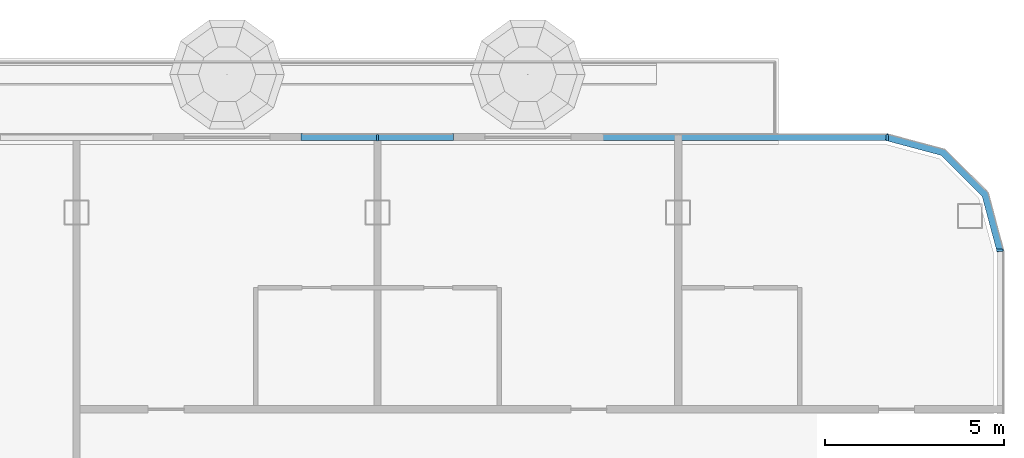
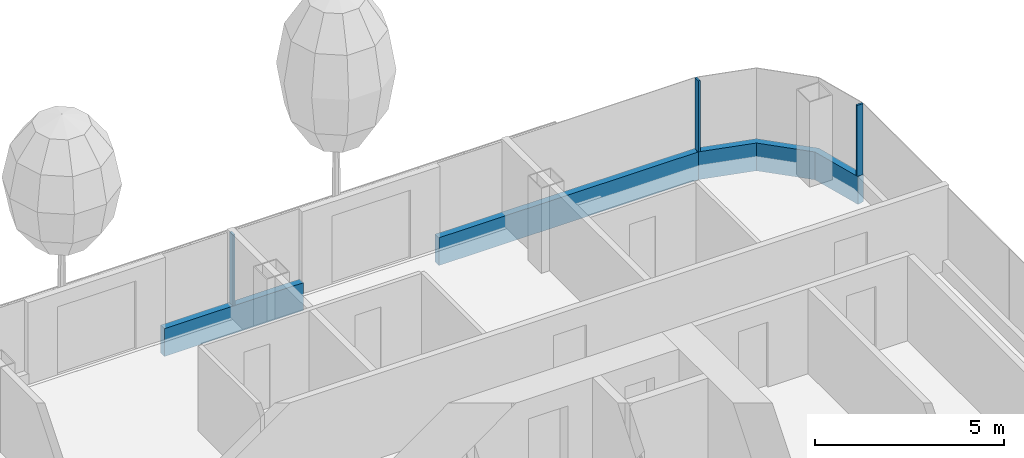
# One storey, part 8 of 29: 6 members, 3 elements without a shape of their own.
"""IFC4 building model written with IfcOpenShell, lengths in metres."""

from ifc_helpers import new_model, si_unit, direction, frame, origin, origin_2d, place, context, subcontext, project, spatial, polyline, rectangle, outline, extrude, material, layer, layer_set, material_profile, profile_set, type_object, element, aggregate, save


model = new_model("IFC4")

# Units and contexts
model_context = context("Model", 3, precision=1e-05, world=origin(), true_north=direction((0.0, 1.0)))
body_context = subcontext(model_context, "Body", "Model", "MODEL_VIEW")
ifc_project = project(units=[si_unit("LENGTHUNIT", "METRE"), si_unit("AREAUNIT", "SQUARE_METRE"), si_unit("VOLUMEUNIT", "CUBIC_METRE"), si_unit("PLANEANGLEUNIT", "RADIAN"), si_unit("MASSUNIT", "GRAM", prefix="KILO")], contexts=[model_context])

# Site, building, storey
site_placement = place(None, origin())
site = spatial("IfcSite", under=ifc_project, at=site_placement, CompositionType="ELEMENT")
building_placement = place(site_placement, origin())
building = spatial("IfcBuilding", under=site, at=building_placement, Name="Hakoniwa Tower and Hamabe Station Hall", CompositionType="ELEMENT")
storey_placement = place(building_placement, frame((0.0, 0.0, 163.0)))
storey = spatial("IfcBuildingStorey", under=building, at=storey_placement, Name="L46", CompositionType="ELEMENT", Elevation=163.0)

# Curtain wall, member
ifc_material_1 = material(Name="Dark low-e laminated glass", Category="glass")
ifc_layer = layer(ifc_material_1, 0.199951171875)
ifc_layer_set = layer_set([ifc_layer], Name="CW-1 UNITISED GUEST")
curtain_wall_type = type_object("IfcCurtainWallType", Name="CW-1 UNITISED GUEST", PredefinedType="NOTDEFINED", material=ifc_layer_set)
curtain_wall_1_placement = place(storey_placement, origin())
curtain_wall_1 = element("IfcCurtainWall", 1, at=curtain_wall_1_placement, inside=storey, type_object=curtain_wall_type, Name="CW-1 curtain wall", PredefinedType="NOTDEFINED")
ifc_material_2 = material(Name="Aluminium 6063-T5 black anodised", Category="aluminium")
ifc_material_profile_1 = material_profile(ifc_material_2, rectangle(XDim=0.199951171875, YDim=0.89990234375, at=origin_2d()), Name="CW SLAB-EDGE BAND 900X200")
ifc_profile_set_1 = profile_set([ifc_material_profile_1], Name="Aluminium 6063-T5 black anodised")
member_type_1 = type_object("IfcMemberType", Name="CW SLAB-EDGE BAND 900X200", PredefinedType="USERDEFINED", material=ifc_profile_set_1)
member_1_placement = place(storey_placement, frame((0.0, 0.0, -0.550048828125)))
member_1 = element("IfcMember", 2, at=member_1_placement, type_object=member_type_1, Name="CW-1 transom", ObjectType="TRANSOM", PredefinedType="USERDEFINED", context=body_context, shape_type="SweptSolid", body=[
    extrude(outline(polyline([(42.699951171875, 15.03955078125), (42.26708984375, 16.6552734375), (41.05517578125, 17.866943359375), (39.439453125, 18.300048828125), (39.3876953125, 18.10693359375), (40.95166015625, 17.687744140625), (42.087646484375, 16.5517578125), (42.5068359375, 14.98779296875), (42.699951171875, 15.03955078125)])), origin(), (0.0, 0.0, 1.0), 0.900146484375),
])
aggregate(curtain_wall_1, [member_1])

# Curtain wall, members
curtain_wall_2_placement = place(storey_placement, origin())
curtain_wall_2 = element("IfcCurtainWall", 3, at=curtain_wall_2_placement, inside=storey, type_object=curtain_wall_type, Name="CW-1 curtain wall", PredefinedType="NOTDEFINED")
member_2_placement = place(storey_placement, frame((39.439453125, 18.199951171875, -0.10009765625), z_axis=(-1.0, 0.0, 0.0), x_axis=(0.0, -1.0, 0.0)))
member_2 = element("IfcMember", 4, at=member_2_placement, type_object=member_type_1, Name="CW-1 transom", ObjectType="TRANSOM", PredefinedType="USERDEFINED", context=body_context, shape_type="SweptSolid", body=[
    extrude(rectangle(XDim=0.199951171875, YDim=0.89990234375, at=origin_2d()), origin(), (0.0, 0.0, 1.0), 7.969482421875),
])
member_3_placement = place(storey_placement, frame((27.330078125, 18.199951171875, -0.10009765625), z_axis=(-1.0, 0.0, 0.0), x_axis=(0.0, -1.0, 0.0)))
member_3 = element("IfcMember", 5, at=member_3_placement, type_object=member_type_1, Name="CW-1 transom", ObjectType="TRANSOM", PredefinedType="USERDEFINED", context=body_context, shape_type="SweptSolid", body=[
    extrude(rectangle(XDim=0.199951171875, YDim=0.89990234375, at=origin_2d()), origin(), (0.0, 0.0, 1.0), 4.260009765625),
])

# Curtain wall, member
curtain_wall_3_placement = place(storey_placement, origin())
curtain_wall_3 = element("IfcCurtainWall", 6, at=curtain_wall_3_placement, inside=storey, type_object=curtain_wall_type, Name="CW-1 curtain wall", PredefinedType="NOTDEFINED")
ifc_material_3 = material(Name="Aluminium 6063-T5 black anodised", Category="aluminium")
ifc_material_profile_2 = material_profile(ifc_material_3, rectangle(XDim=0.06005859375, YDim=0.179931640625, at=origin_2d()), Name="CW-1 MULLION 60X180")
ifc_profile_set_2 = profile_set([ifc_material_profile_2], Name="Aluminium 6063-T5 black anodised")
member_type_2 = type_object("IfcMemberType", Name="CW-1 MULLION 60X180", PredefinedType="MULLION", material=ifc_profile_set_2)
member_4_placement = place(storey_placement, frame((42.58203125, 15.03955078125, 0.35009765625), z_axis=(0.0, 0.0, 1.0), x_axis=(0.0, 1.0, 0.0)))
member_4 = element("IfcMember", 7, at=member_4_placement, type_object=member_type_2, Name="CW-1 mullion", PredefinedType="MULLION", context=body_context, shape_type="SweptSolid", body=[
    extrude(rectangle(XDim=0.06005859375, YDim=0.179931640625, at=origin_2d()), origin(), (0.0, 0.0, 1.0), 2.2998046875),
])
aggregate(curtain_wall_3, [member_4])

# Member
member_5_placement = place(storey_placement, frame((39.439453125, 18.181884765625, 0.35009765625), z_axis=(0.0, 0.0, 1.0), x_axis=(-1.0, 0.0, 0.0)))
member_5 = element("IfcMember", 8, at=member_5_placement, type_object=member_type_2, Name="CW-1 mullion", PredefinedType="MULLION", context=body_context, shape_type="SweptSolid", body=[
    extrude(rectangle(XDim=0.06005859375, YDim=0.179931640625, at=origin_2d()), origin(), (0.0, 0.0, 1.0), 2.2998046875),
])

member_6_placement = place(storey_placement, frame((25.199951171875, 18.181884765625, 0.35009765625), z_axis=(0.0, 0.0, 1.0), x_axis=(-1.0, 0.0, 0.0)))
member_6 = element("IfcMember", 9, at=member_6_placement, type_object=member_type_2, Name="CW-1 mullion", PredefinedType="MULLION", context=body_context, shape_type="SweptSolid", body=[
    extrude(rectangle(XDim=0.06005859375, YDim=0.179931640625, at=origin_2d()), origin(), (0.0, 0.0, 1.0), 2.2998046875),
])

aggregate(curtain_wall_2, [member_5, member_6, member_2, member_3])

save(model, "model.ifc")
